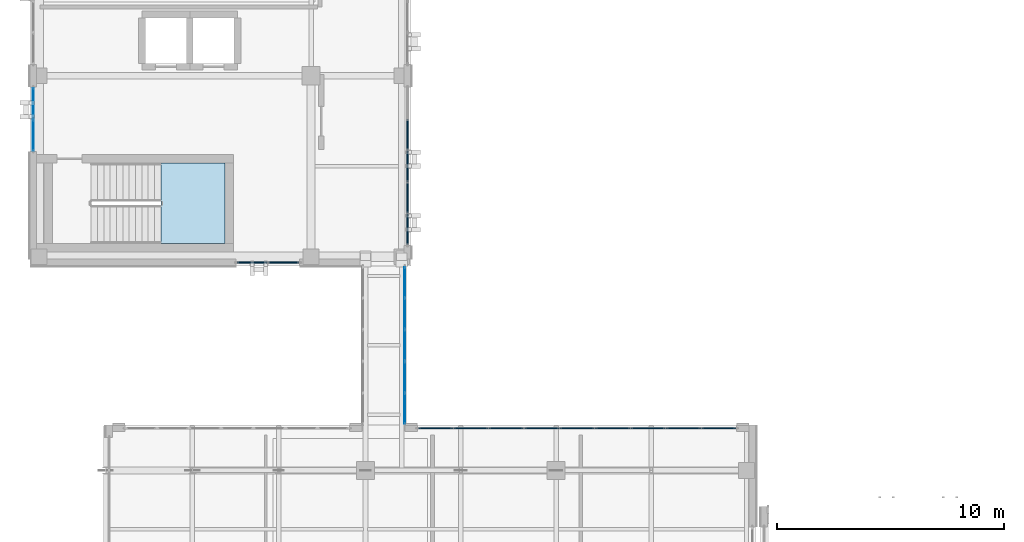
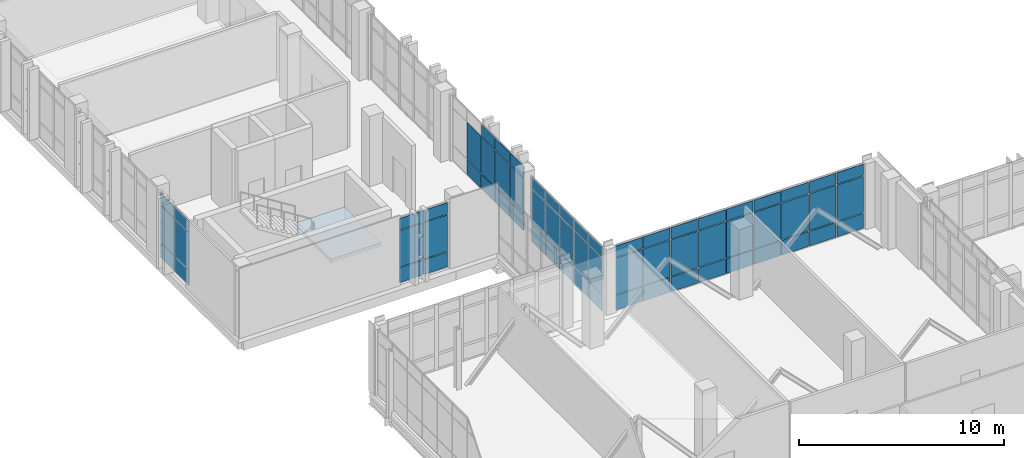
# One storey, part 116 of 165: 65 plates, 1 slab, 6 elements without a shape of their own.
"""IFC4 building model written with IfcOpenShell, lengths in metres."""

from ifc_helpers import new_model, si_unit, direction, frame, origin, origin_2d, place, context, subcontext, project, spatial, polyline, rectangle, outline, extrude, material, layer, layer_set, type_object, element, aggregate, save


model = new_model("IFC4")

# Units and contexts
model_context = context("Model", 3, precision=1e-05, world=origin(), true_north=direction((0.0, 1.0)))
body_context = subcontext(model_context, "Body", "Model", "MODEL_VIEW")
ifc_project = project(units=[si_unit("LENGTHUNIT", "METRE"), si_unit("AREAUNIT", "SQUARE_METRE"), si_unit("VOLUMEUNIT", "CUBIC_METRE"), si_unit("PLANEANGLEUNIT", "RADIAN"), si_unit("MASSUNIT", "GRAM", prefix="KILO")], contexts=[model_context])

# Site, building, storey
site_placement = place(None, origin())
site = spatial("IfcSite", under=ifc_project, at=site_placement, CompositionType="ELEMENT")
building_placement = place(site_placement, origin())
building = spatial("IfcBuilding", under=site, at=building_placement, Name="Qalavern Law Courts", CompositionType="ELEMENT")
storey_placement = place(building_placement, frame((0.0, 0.0, 14.39990234375)))
storey = spatial("IfcBuildingStorey", under=building, at=storey_placement, Name="L03", CompositionType="ELEMENT", Elevation=14.39990234375)

# Curtain wall, plates
ifc_material_1 = material(Name="Anodised aluminium and insulated glazing", Category="aluminium")
ifc_layer_1 = layer(ifc_material_1, 0.14990234375)
ifc_layer_set_1 = layer_set([ifc_layer_1], Name="Anodised aluminium and insulated glazing")
curtain_wall_type_1 = type_object("IfcCurtainWallType", Name="ENV-CW-BRG", PredefinedType="USERDEFINED", material=ifc_layer_set_1)
curtain_wall_1_placement = place(storey_placement, origin())
curtain_wall_1 = element("IfcCurtainWall", 1, at=curtain_wall_1_placement, inside=storey, type_object=curtain_wall_type_1, Name="Bridge BR-V1-V3 glazed curtain wall L03-2", ObjectType="UNITISED CURTAIN WALL", PredefinedType="USERDEFINED")
ifc_material_2 = material(Name="Insulated low-E acoustic glazing", Category="glass")
ifc_layer_2 = layer(ifc_material_2, 0.031982421875)
ifc_layer_set_2 = layer_set([ifc_layer_2], Name="Insulated low-E acoustic glazing")
plate_type_1 = type_object("IfcPlateType", Name="ENV-CWP-32", PredefinedType="CURTAIN_PANEL", material=ifc_layer_set_2)
plate_1_placement = place(storey_placement, frame((18.52490234375, 34.72998046875, 0.048095703125), z_axis=(0.0, 0.0, 1.0), x_axis=(0.0, 1.0, 0.0)))
plate_1 = element("IfcPlate", 2, at=plate_1_placement, type_object=plate_type_1, Name="CW-06 panel 1.1", PredefinedType="CURTAIN_PANEL", context=body_context, shape_type="SweptSolid", body=[
    extrude(rectangle(XDim=1.323974609375, YDim=0.031982421875, at=origin_2d()), origin(), (0.0, 0.0, 1.0), 0.97802734375),
])
plate_2_placement = place(storey_placement, frame((18.52490234375, 34.72998046875, 1.073974609375), z_axis=(0.0, 0.0, 1.0), x_axis=(0.0, 1.0, 0.0)))
plate_2 = element("IfcPlate", 3, at=plate_2_placement, type_object=plate_type_1, Name="CW-06 panel 1.2", PredefinedType="CURTAIN_PANEL", context=body_context, shape_type="SweptSolid", body=[
    extrude(rectangle(XDim=1.323974609375, YDim=0.031982421875, at=origin_2d()), origin(), (0.0, 0.0, 1.0), 2.1220703125),
])
plate_3_placement = place(storey_placement, frame((18.52490234375, 34.72998046875, 3.244140625), z_axis=(0.0, 0.0, 1.0), x_axis=(0.0, 1.0, 0.0)))
plate_3 = element("IfcPlate", 4, at=plate_3_placement, type_object=plate_type_1, Name="CW-06 panel 1.3", PredefinedType="CURTAIN_PANEL", context=body_context, shape_type="SweptSolid", body=[
    extrude(rectangle(XDim=1.323974609375, YDim=0.031982421875, at=origin_2d()), origin(), (0.0, 0.0, 1.0), 0.6279296875),
])
plate_4_placement = place(storey_placement, frame((18.52490234375, 36.114013671875, 0.048095703125), z_axis=(0.0, 0.0, 1.0), x_axis=(0.0, 1.0, 0.0)))
plate_4 = element("IfcPlate", 5, at=plate_4_placement, type_object=plate_type_1, Name="CW-06 panel 2.1", PredefinedType="CURTAIN_PANEL", context=body_context, shape_type="SweptSolid", body=[
    extrude(rectangle(XDim=1.347900390625, YDim=0.031982421875, at=origin_2d()), origin(), (0.0, 0.0, 1.0), 0.97802734375),
])
plate_5_placement = place(storey_placement, frame((18.52490234375, 36.114013671875, 1.073974609375), z_axis=(0.0, 0.0, 1.0), x_axis=(0.0, 1.0, 0.0)))
plate_5 = element("IfcPlate", 6, at=plate_5_placement, type_object=plate_type_1, Name="CW-06 panel 2.2", PredefinedType="CURTAIN_PANEL", context=body_context, shape_type="SweptSolid", body=[
    extrude(rectangle(XDim=1.347900390625, YDim=0.031982421875, at=origin_2d()), origin(), (0.0, 0.0, 1.0), 2.1220703125),
])
plate_6_placement = place(storey_placement, frame((18.52490234375, 36.114013671875, 3.244140625), z_axis=(0.0, 0.0, 1.0), x_axis=(0.0, 1.0, 0.0)))
plate_6 = element("IfcPlate", 7, at=plate_6_placement, type_object=plate_type_1, Name="CW-06 panel 2.3", PredefinedType="CURTAIN_PANEL", context=body_context, shape_type="SweptSolid", body=[
    extrude(rectangle(XDim=1.347900390625, YDim=0.031982421875, at=origin_2d()), origin(), (0.0, 0.0, 1.0), 0.6279296875),
])
plate_7_placement = place(storey_placement, frame((18.52490234375, 37.510009765625, 0.048095703125), z_axis=(0.0, 0.0, 1.0), x_axis=(0.0, 1.0, 0.0)))
plate_7 = element("IfcPlate", 8, at=plate_7_placement, type_object=plate_type_1, Name="CW-06 panel 3.1", PredefinedType="CURTAIN_PANEL", context=body_context, shape_type="SweptSolid", body=[
    extrude(rectangle(XDim=1.347900390625, YDim=0.031982421875, at=origin_2d()), origin(), (0.0, 0.0, 1.0), 0.97802734375),
])
plate_8_placement = place(storey_placement, frame((18.52490234375, 37.510009765625, 1.073974609375), z_axis=(0.0, 0.0, 1.0), x_axis=(0.0, 1.0, 0.0)))
plate_8 = element("IfcPlate", 9, at=plate_8_placement, type_object=plate_type_1, Name="CW-06 panel 3.2", PredefinedType="CURTAIN_PANEL", context=body_context, shape_type="SweptSolid", body=[
    extrude(rectangle(XDim=1.347900390625, YDim=0.031982421875, at=origin_2d()), origin(), (0.0, 0.0, 1.0), 2.1220703125),
])
plate_9_placement = place(storey_placement, frame((18.52490234375, 37.510009765625, 3.244140625), z_axis=(0.0, 0.0, 1.0), x_axis=(0.0, 1.0, 0.0)))
plate_9 = element("IfcPlate", 10, at=plate_9_placement, type_object=plate_type_1, Name="CW-06 panel 3.3", PredefinedType="CURTAIN_PANEL", context=body_context, shape_type="SweptSolid", body=[
    extrude(rectangle(XDim=1.347900390625, YDim=0.031982421875, at=origin_2d()), origin(), (0.0, 0.0, 1.0), 0.6279296875),
])
plate_10_placement = place(storey_placement, frame((18.52490234375, 38.906005859375, 0.048095703125), z_axis=(0.0, 0.0, 1.0), x_axis=(0.0, 1.0, 0.0)))
plate_10 = element("IfcPlate", 11, at=plate_10_placement, type_object=plate_type_1, Name="CW-06 panel 4.1", PredefinedType="CURTAIN_PANEL", context=body_context, shape_type="SweptSolid", body=[
    extrude(rectangle(XDim=1.347900390625, YDim=0.031982421875, at=origin_2d()), origin(), (0.0, 0.0, 1.0), 0.97802734375),
])
plate_11_placement = place(storey_placement, frame((18.52490234375, 38.906005859375, 1.073974609375), z_axis=(0.0, 0.0, 1.0), x_axis=(0.0, 1.0, 0.0)))
plate_11 = element("IfcPlate", 12, at=plate_11_placement, type_object=plate_type_1, Name="CW-06 panel 4.2", PredefinedType="CURTAIN_PANEL", context=body_context, shape_type="SweptSolid", body=[
    extrude(rectangle(XDim=1.347900390625, YDim=0.031982421875, at=origin_2d()), origin(), (0.0, 0.0, 1.0), 2.1220703125),
])
plate_12_placement = place(storey_placement, frame((18.52490234375, 38.906005859375, 3.244140625), z_axis=(0.0, 0.0, 1.0), x_axis=(0.0, 1.0, 0.0)))
plate_12 = element("IfcPlate", 13, at=plate_12_placement, type_object=plate_type_1, Name="CW-06 panel 4.3", PredefinedType="CURTAIN_PANEL", context=body_context, shape_type="SweptSolid", body=[
    extrude(rectangle(XDim=1.347900390625, YDim=0.031982421875, at=origin_2d()), origin(), (0.0, 0.0, 1.0), 0.6279296875),
])
plate_13_placement = place(storey_placement, frame((18.52490234375, 40.2900390625, 0.048095703125), z_axis=(0.0, 0.0, 1.0), x_axis=(0.0, 1.0, 0.0)))
plate_13 = element("IfcPlate", 14, at=plate_13_placement, type_object=plate_type_1, Name="CW-06 panel 5.1", PredefinedType="CURTAIN_PANEL", context=body_context, shape_type="SweptSolid", body=[
    extrude(rectangle(XDim=1.323974609375, YDim=0.031982421875, at=origin_2d()), origin(), (0.0, 0.0, 1.0), 0.97802734375),
])
plate_14_placement = place(storey_placement, frame((18.52490234375, 40.2900390625, 1.073974609375), z_axis=(0.0, 0.0, 1.0), x_axis=(0.0, 1.0, 0.0)))
plate_14 = element("IfcPlate", 15, at=plate_14_placement, type_object=plate_type_1, Name="CW-06 panel 5.2", PredefinedType="CURTAIN_PANEL", context=body_context, shape_type="SweptSolid", body=[
    extrude(rectangle(XDim=1.323974609375, YDim=0.031982421875, at=origin_2d()), origin(), (0.0, 0.0, 1.0), 2.1220703125),
])
plate_15_placement = place(storey_placement, frame((18.52490234375, 40.2900390625, 3.244140625), z_axis=(0.0, 0.0, 1.0), x_axis=(0.0, 1.0, 0.0)))
plate_15 = element("IfcPlate", 16, at=plate_15_placement, type_object=plate_type_1, Name="CW-06 panel 5.3", PredefinedType="CURTAIN_PANEL", context=body_context, shape_type="SweptSolid", body=[
    extrude(rectangle(XDim=1.323974609375, YDim=0.031982421875, at=origin_2d()), origin(), (0.0, 0.0, 1.0), 0.6279296875),
])
aggregate(curtain_wall_1, [plate_1, plate_2, plate_3, plate_4, plate_5, plate_6, plate_7, plate_8, plate_9, plate_10, plate_11, plate_12, plate_13, plate_14, plate_15])

ifc_layer_3 = layer(ifc_material_1, 0.172119140625)
ifc_layer_set_3 = layer_set([ifc_layer_3], Name="Anodised aluminium and insulated glazing")
curtain_wall_type_2 = type_object("IfcCurtainWallType", Name="ENV-CW-COURT", PredefinedType="USERDEFINED", material=ifc_layer_set_3)
curtain_wall_2_placement = place(storey_placement, origin())
curtain_wall_2 = element("IfcCurtainWall", 17, at=curtain_wall_2_placement, inside=storey, type_object=curtain_wall_type_2, Name="V3 unitised curtain wall L03 west 7", ObjectType="UNITISED CURTAIN WALL", PredefinedType="USERDEFINED")
ifc_layer_4 = layer(ifc_material_2, 0.0439453125)
ifc_layer_set_4 = layer_set([ifc_layer_4], Name="Insulated low-E acoustic glazing")
plate_type_2 = type_object("IfcPlateType", Name="ENV-CWP-44", PredefinedType="CURTAIN_PANEL", material=ifc_layer_set_4)
plate_16_placement = place(storey_placement, frame((2.1474609375, 48.175537109375, 0.048095703125), z_axis=(0.0, 0.0, 1.0), x_axis=(0.0, -1.0, 0.0)))
plate_16 = element("IfcPlate", 18, at=plate_16_placement, type_object=plate_type_2, Name="CW-03 panel 1.1", PredefinedType="CURTAIN_PANEL", context=body_context, shape_type="SweptSolid", body=[
    extrude(rectangle(XDim=1.35302734375, YDim=0.0439453125, at=origin_2d()), origin(), (0.0, 0.0, 1.0), 0.8779296875),
])
plate_17_placement = place(storey_placement, frame((2.1474609375, 48.175537109375, 0.97412109375), z_axis=(0.0, 0.0, 1.0), x_axis=(0.0, -1.0, 0.0)))
plate_17 = element("IfcPlate", 19, at=plate_17_placement, type_object=plate_type_2, Name="CW-03 panel 1.2", PredefinedType="CURTAIN_PANEL", context=body_context, shape_type="SweptSolid", body=[
    extrude(rectangle(XDim=1.35302734375, YDim=0.0439453125, at=origin_2d()), origin(), (0.0, 0.0, 1.0), 2.172119140625),
])
plate_18_placement = place(storey_placement, frame((2.1474609375, 48.175537109375, 3.1943359375), z_axis=(0.0, 0.0, 1.0), x_axis=(0.0, -1.0, 0.0)))
plate_18 = element("IfcPlate", 20, at=plate_18_placement, type_object=plate_type_2, Name="CW-03 panel 1.3", PredefinedType="CURTAIN_PANEL", context=body_context, shape_type="SweptSolid", body=[
    extrude(rectangle(XDim=1.35302734375, YDim=0.0439453125, at=origin_2d()), origin(), (0.0, 0.0, 1.0), 0.677978515625),
])
plate_19_placement = place(storey_placement, frame((2.1474609375, 46.7744140625, 0.048095703125), z_axis=(0.0, 0.0, 1.0), x_axis=(0.0, -1.0, 0.0)))
plate_19 = element("IfcPlate", 21, at=plate_19_placement, type_object=plate_type_2, Name="CW-03 panel 2.1", PredefinedType="CURTAIN_PANEL", context=body_context, shape_type="SweptSolid", body=[
    extrude(rectangle(XDim=1.35302734375, YDim=0.0439453125, at=origin_2d()), origin(), (0.0, 0.0, 1.0), 0.8779296875),
])
plate_20_placement = place(storey_placement, frame((2.1474609375, 46.7744140625, 0.97412109375), z_axis=(0.0, 0.0, 1.0), x_axis=(0.0, -1.0, 0.0)))
plate_20 = element("IfcPlate", 22, at=plate_20_placement, type_object=plate_type_2, Name="CW-03 panel 2.2", PredefinedType="CURTAIN_PANEL", context=body_context, shape_type="SweptSolid", body=[
    extrude(rectangle(XDim=1.35302734375, YDim=0.0439453125, at=origin_2d()), origin(), (0.0, 0.0, 1.0), 2.172119140625),
])
plate_21_placement = place(storey_placement, frame((2.1474609375, 46.7744140625, 3.1943359375), z_axis=(0.0, 0.0, 1.0), x_axis=(0.0, -1.0, 0.0)))
plate_21 = element("IfcPlate", 23, at=plate_21_placement, type_object=plate_type_2, Name="CW-03 panel 2.3", PredefinedType="CURTAIN_PANEL", context=body_context, shape_type="SweptSolid", body=[
    extrude(rectangle(XDim=1.35302734375, YDim=0.0439453125, at=origin_2d()), origin(), (0.0, 0.0, 1.0), 0.677978515625),
])
aggregate(curtain_wall_2, [plate_16, plate_17, plate_18, plate_19, plate_20, plate_21])

ifc_layer_5 = layer(ifc_material_1, 0.199951171875)
ifc_layer_set_5 = layer_set([ifc_layer_5], Name="Anodised aluminium and insulated glazing")
curtain_wall_type_3 = type_object("IfcCurtainWallType", Name="ENV-CW-FOYER", PredefinedType="USERDEFINED", material=ifc_layer_set_5)
curtain_wall_3_placement = place(storey_placement, origin())
curtain_wall_3 = element("IfcCurtainWall", 24, at=curtain_wall_3_placement, inside=storey, type_object=curtain_wall_type_3, Name="V1 unitised curtain wall L03 north 1", ObjectType="UNITISED CURTAIN WALL", PredefinedType="USERDEFINED")
ifc_layer_6 = layer(ifc_material_2, 0.052001953125)
ifc_layer_set_6 = layer_set([ifc_layer_6], Name="Insulated low-E acoustic glazing")
plate_type_3 = type_object("IfcPlateType", Name="ENV-CWP-52", PredefinedType="CURTAIN_PANEL", material=ifc_layer_set_6)
plate_22_placement = place(storey_placement, frame((32.366943359375, 33.8525390625, 0.048095703125), z_axis=(0.0, 0.0, 1.0), x_axis=(-1.0, 0.0, 0.0)))
plate_22 = element("IfcPlate", 25, at=plate_22_placement, type_object=plate_type_3, Name="CW-01 panel 1.1", PredefinedType="CURTAIN_PANEL", context=body_context, shape_type="SweptSolid", body=[
    extrude(rectangle(XDim=1.490234375, YDim=0.052001953125, at=origin_2d()), origin(), (0.0, 0.0, 1.0), 0.8779296875),
])
plate_23_placement = place(storey_placement, frame((32.366943359375, 33.8525390625, 0.97412109375), z_axis=(0.0, 0.0, 1.0), x_axis=(-1.0, 0.0, 0.0)))
plate_23 = element("IfcPlate", 26, at=plate_23_placement, type_object=plate_type_3, Name="CW-01 panel 1.2", PredefinedType="CURTAIN_PANEL", context=body_context, shape_type="SweptSolid", body=[
    extrude(rectangle(XDim=1.490234375, YDim=0.052001953125, at=origin_2d()), origin(), (0.0, 0.0, 1.0), 2.172119140625),
])
plate_24_placement = place(storey_placement, frame((32.366943359375, 33.8525390625, 3.1943359375), z_axis=(0.0, 0.0, 1.0), x_axis=(-1.0, 0.0, 0.0)))
plate_24 = element("IfcPlate", 27, at=plate_24_placement, type_object=plate_type_3, Name="CW-01 panel 1.3", PredefinedType="CURTAIN_PANEL", context=body_context, shape_type="SweptSolid", body=[
    extrude(rectangle(XDim=1.490234375, YDim=0.052001953125, at=origin_2d()), origin(), (0.0, 0.0, 1.0), 0.677978515625),
])
plate_25_placement = place(storey_placement, frame((30.816650390625, 33.8525390625, 0.048095703125), z_axis=(0.0, 0.0, 1.0), x_axis=(-1.0, 0.0, 0.0)))
plate_25 = element("IfcPlate", 28, at=plate_25_placement, type_object=plate_type_3, Name="CW-01 panel 2.1", PredefinedType="CURTAIN_PANEL", context=body_context, shape_type="SweptSolid", body=[
    extrude(rectangle(XDim=1.51416015625, YDim=0.052001953125, at=origin_2d()), origin(), (0.0, 0.0, 1.0), 0.8779296875),
])
plate_26_placement = place(storey_placement, frame((30.816650390625, 33.8525390625, 0.97412109375), z_axis=(0.0, 0.0, 1.0), x_axis=(-1.0, 0.0, 0.0)))
plate_26 = element("IfcPlate", 29, at=plate_26_placement, type_object=plate_type_3, Name="CW-01 panel 2.2", PredefinedType="CURTAIN_PANEL", context=body_context, shape_type="SweptSolid", body=[
    extrude(rectangle(XDim=1.51416015625, YDim=0.052001953125, at=origin_2d()), origin(), (0.0, 0.0, 1.0), 2.172119140625),
])
plate_27_placement = place(storey_placement, frame((30.816650390625, 33.8525390625, 3.1943359375), z_axis=(0.0, 0.0, 1.0), x_axis=(-1.0, 0.0, 0.0)))
plate_27 = element("IfcPlate", 30, at=plate_27_placement, type_object=plate_type_3, Name="CW-01 panel 2.3", PredefinedType="CURTAIN_PANEL", context=body_context, shape_type="SweptSolid", body=[
    extrude(rectangle(XDim=1.51416015625, YDim=0.052001953125, at=origin_2d()), origin(), (0.0, 0.0, 1.0), 0.677978515625),
])
plate_28_placement = place(storey_placement, frame((29.25439453125, 33.8525390625, 0.048095703125), z_axis=(0.0, 0.0, 1.0), x_axis=(-1.0, 0.0, 0.0)))
plate_28 = element("IfcPlate", 31, at=plate_28_placement, type_object=plate_type_3, Name="CW-01 panel 3.1", PredefinedType="CURTAIN_PANEL", context=body_context, shape_type="SweptSolid", body=[
    extrude(rectangle(XDim=1.51416015625, YDim=0.052001953125, at=origin_2d()), origin(), (0.0, 0.0, 1.0), 0.8779296875),
])
plate_29_placement = place(storey_placement, frame((29.25439453125, 33.8525390625, 0.97412109375), z_axis=(0.0, 0.0, 1.0), x_axis=(-1.0, 0.0, 0.0)))
plate_29 = element("IfcPlate", 32, at=plate_29_placement, type_object=plate_type_3, Name="CW-01 panel 3.2", PredefinedType="CURTAIN_PANEL", context=body_context, shape_type="SweptSolid", body=[
    extrude(rectangle(XDim=1.51416015625, YDim=0.052001953125, at=origin_2d()), origin(), (0.0, 0.0, 1.0), 2.172119140625),
])
plate_30_placement = place(storey_placement, frame((29.25439453125, 33.8525390625, 3.1943359375), z_axis=(0.0, 0.0, 1.0), x_axis=(-1.0, 0.0, 0.0)))
plate_30 = element("IfcPlate", 33, at=plate_30_placement, type_object=plate_type_3, Name="CW-01 panel 3.3", PredefinedType="CURTAIN_PANEL", context=body_context, shape_type="SweptSolid", body=[
    extrude(rectangle(XDim=1.51416015625, YDim=0.052001953125, at=origin_2d()), origin(), (0.0, 0.0, 1.0), 0.677978515625),
])
plate_31_placement = place(storey_placement, frame((27.692138671875, 33.8525390625, 0.048095703125), z_axis=(0.0, 0.0, 1.0), x_axis=(-1.0, 0.0, 0.0)))
plate_31 = element("IfcPlate", 34, at=plate_31_placement, type_object=plate_type_3, Name="CW-01 panel 4.1", PredefinedType="CURTAIN_PANEL", context=body_context, shape_type="SweptSolid", body=[
    extrude(rectangle(XDim=1.51416015625, YDim=0.052001953125, at=origin_2d()), origin(), (0.0, 0.0, 1.0), 0.8779296875),
])
plate_32_placement = place(storey_placement, frame((27.692138671875, 33.8525390625, 0.97412109375), z_axis=(0.0, 0.0, 1.0), x_axis=(-1.0, 0.0, 0.0)))
plate_32 = element("IfcPlate", 35, at=plate_32_placement, type_object=plate_type_3, Name="CW-01 panel 4.2", PredefinedType="CURTAIN_PANEL", context=body_context, shape_type="SweptSolid", body=[
    extrude(rectangle(XDim=1.51416015625, YDim=0.052001953125, at=origin_2d()), origin(), (0.0, 0.0, 1.0), 2.172119140625),
])
plate_33_placement = place(storey_placement, frame((27.692138671875, 33.8525390625, 3.1943359375), z_axis=(0.0, 0.0, 1.0), x_axis=(-1.0, 0.0, 0.0)))
plate_33 = element("IfcPlate", 36, at=plate_33_placement, type_object=plate_type_3, Name="CW-01 panel 4.3", PredefinedType="CURTAIN_PANEL", context=body_context, shape_type="SweptSolid", body=[
    extrude(rectangle(XDim=1.51416015625, YDim=0.052001953125, at=origin_2d()), origin(), (0.0, 0.0, 1.0), 0.677978515625),
])
plate_34_placement = place(storey_placement, frame((26.1298828125, 33.8525390625, 0.048095703125), z_axis=(0.0, 0.0, 1.0), x_axis=(-1.0, 0.0, 0.0)))
plate_34 = element("IfcPlate", 37, at=plate_34_placement, type_object=plate_type_3, Name="CW-01 panel 5.1", PredefinedType="CURTAIN_PANEL", context=body_context, shape_type="SweptSolid", body=[
    extrude(rectangle(XDim=1.51416015625, YDim=0.052001953125, at=origin_2d()), origin(), (0.0, 0.0, 1.0), 0.8779296875),
])
plate_35_placement = place(storey_placement, frame((26.1298828125, 33.8525390625, 0.97412109375), z_axis=(0.0, 0.0, 1.0), x_axis=(-1.0, 0.0, 0.0)))
plate_35 = element("IfcPlate", 38, at=plate_35_placement, type_object=plate_type_3, Name="CW-01 panel 5.2", PredefinedType="CURTAIN_PANEL", context=body_context, shape_type="SweptSolid", body=[
    extrude(rectangle(XDim=1.51416015625, YDim=0.052001953125, at=origin_2d()), origin(), (0.0, 0.0, 1.0), 2.172119140625),
])
plate_36_placement = place(storey_placement, frame((26.1298828125, 33.8525390625, 3.1943359375), z_axis=(0.0, 0.0, 1.0), x_axis=(-1.0, 0.0, 0.0)))
plate_36 = element("IfcPlate", 39, at=plate_36_placement, type_object=plate_type_3, Name="CW-01 panel 5.3", PredefinedType="CURTAIN_PANEL", context=body_context, shape_type="SweptSolid", body=[
    extrude(rectangle(XDim=1.51416015625, YDim=0.052001953125, at=origin_2d()), origin(), (0.0, 0.0, 1.0), 0.677978515625),
])
plate_37_placement = place(storey_placement, frame((24.56787109375, 33.8525390625, 0.048095703125), z_axis=(0.0, 0.0, 1.0), x_axis=(-1.0, 0.0, 0.0)))
plate_37 = element("IfcPlate", 40, at=plate_37_placement, type_object=plate_type_3, Name="CW-01 panel 6.1", PredefinedType="CURTAIN_PANEL", context=body_context, shape_type="SweptSolid", body=[
    extrude(rectangle(XDim=1.51416015625, YDim=0.052001953125, at=origin_2d()), origin(), (0.0, 0.0, 1.0), 0.8779296875),
])
plate_38_placement = place(storey_placement, frame((24.56787109375, 33.8525390625, 0.97412109375), z_axis=(0.0, 0.0, 1.0), x_axis=(-1.0, 0.0, 0.0)))
plate_38 = element("IfcPlate", 41, at=plate_38_placement, type_object=plate_type_3, Name="CW-01 panel 6.2", PredefinedType="CURTAIN_PANEL", context=body_context, shape_type="SweptSolid", body=[
    extrude(rectangle(XDim=1.51416015625, YDim=0.052001953125, at=origin_2d()), origin(), (0.0, 0.0, 1.0), 2.172119140625),
])
plate_39_placement = place(storey_placement, frame((24.56787109375, 33.8525390625, 3.1943359375), z_axis=(0.0, 0.0, 1.0), x_axis=(-1.0, 0.0, 0.0)))
plate_39 = element("IfcPlate", 42, at=plate_39_placement, type_object=plate_type_3, Name="CW-01 panel 6.3", PredefinedType="CURTAIN_PANEL", context=body_context, shape_type="SweptSolid", body=[
    extrude(rectangle(XDim=1.51416015625, YDim=0.052001953125, at=origin_2d()), origin(), (0.0, 0.0, 1.0), 0.677978515625),
])
plate_40_placement = place(storey_placement, frame((23.005615234375, 33.8525390625, 0.048095703125), z_axis=(0.0, 0.0, 1.0), x_axis=(-1.0, 0.0, 0.0)))
plate_40 = element("IfcPlate", 43, at=plate_40_placement, type_object=plate_type_3, Name="CW-01 panel 7.1", PredefinedType="CURTAIN_PANEL", context=body_context, shape_type="SweptSolid", body=[
    extrude(rectangle(XDim=1.51416015625, YDim=0.052001953125, at=origin_2d()), origin(), (0.0, 0.0, 1.0), 0.8779296875),
])
plate_41_placement = place(storey_placement, frame((23.005615234375, 33.8525390625, 0.97412109375), z_axis=(0.0, 0.0, 1.0), x_axis=(-1.0, 0.0, 0.0)))
plate_41 = element("IfcPlate", 44, at=plate_41_placement, type_object=plate_type_3, Name="CW-01 panel 7.2", PredefinedType="CURTAIN_PANEL", context=body_context, shape_type="SweptSolid", body=[
    extrude(rectangle(XDim=1.51416015625, YDim=0.052001953125, at=origin_2d()), origin(), (0.0, 0.0, 1.0), 2.172119140625),
])
plate_42_placement = place(storey_placement, frame((23.005615234375, 33.8525390625, 3.1943359375), z_axis=(0.0, 0.0, 1.0), x_axis=(-1.0, 0.0, 0.0)))
plate_42 = element("IfcPlate", 45, at=plate_42_placement, type_object=plate_type_3, Name="CW-01 panel 7.3", PredefinedType="CURTAIN_PANEL", context=body_context, shape_type="SweptSolid", body=[
    extrude(rectangle(XDim=1.51416015625, YDim=0.052001953125, at=origin_2d()), origin(), (0.0, 0.0, 1.0), 0.677978515625),
])
plate_43_placement = place(storey_placement, frame((21.443359375, 33.8525390625, 0.048095703125), z_axis=(0.0, 0.0, 1.0), x_axis=(-1.0, 0.0, 0.0)))
plate_43 = element("IfcPlate", 46, at=plate_43_placement, type_object=plate_type_3, Name="CW-01 panel 8.1", PredefinedType="CURTAIN_PANEL", context=body_context, shape_type="SweptSolid", body=[
    extrude(rectangle(XDim=1.51416015625, YDim=0.052001953125, at=origin_2d()), origin(), (0.0, 0.0, 1.0), 0.8779296875),
])
plate_44_placement = place(storey_placement, frame((21.443359375, 33.8525390625, 0.97412109375), z_axis=(0.0, 0.0, 1.0), x_axis=(-1.0, 0.0, 0.0)))
plate_44 = element("IfcPlate", 47, at=plate_44_placement, type_object=plate_type_3, Name="CW-01 panel 8.2", PredefinedType="CURTAIN_PANEL", context=body_context, shape_type="SweptSolid", body=[
    extrude(rectangle(XDim=1.51416015625, YDim=0.052001953125, at=origin_2d()), origin(), (0.0, 0.0, 1.0), 2.172119140625),
])
plate_45_placement = place(storey_placement, frame((21.443359375, 33.8525390625, 3.1943359375), z_axis=(0.0, 0.0, 1.0), x_axis=(-1.0, 0.0, 0.0)))
plate_45 = element("IfcPlate", 48, at=plate_45_placement, type_object=plate_type_3, Name="CW-01 panel 8.3", PredefinedType="CURTAIN_PANEL", context=body_context, shape_type="SweptSolid", body=[
    extrude(rectangle(XDim=1.51416015625, YDim=0.052001953125, at=origin_2d()), origin(), (0.0, 0.0, 1.0), 0.677978515625),
])
plate_46_placement = place(storey_placement, frame((19.89306640625, 33.8525390625, 0.048095703125), z_axis=(0.0, 0.0, 1.0), x_axis=(-1.0, 0.0, 0.0)))
plate_46 = element("IfcPlate", 49, at=plate_46_placement, type_object=plate_type_3, Name="CW-01 panel 9.1", PredefinedType="CURTAIN_PANEL", context=body_context, shape_type="SweptSolid", body=[
    extrude(rectangle(XDim=1.490234375, YDim=0.052001953125, at=origin_2d()), origin(), (0.0, 0.0, 1.0), 0.8779296875),
])
plate_47_placement = place(storey_placement, frame((19.89306640625, 33.8525390625, 0.97412109375), z_axis=(0.0, 0.0, 1.0), x_axis=(-1.0, 0.0, 0.0)))
plate_47 = element("IfcPlate", 50, at=plate_47_placement, type_object=plate_type_3, Name="CW-01 panel 9.2", PredefinedType="CURTAIN_PANEL", context=body_context, shape_type="SweptSolid", body=[
    extrude(rectangle(XDim=1.490234375, YDim=0.052001953125, at=origin_2d()), origin(), (0.0, 0.0, 1.0), 2.172119140625),
])
plate_48_placement = place(storey_placement, frame((19.89306640625, 33.8525390625, 3.1943359375), z_axis=(0.0, 0.0, 1.0), x_axis=(-1.0, 0.0, 0.0)))
plate_48 = element("IfcPlate", 51, at=plate_48_placement, type_object=plate_type_3, Name="CW-01 panel 9.3", PredefinedType="CURTAIN_PANEL", context=body_context, shape_type="SweptSolid", body=[
    extrude(rectangle(XDim=1.490234375, YDim=0.052001953125, at=origin_2d()), origin(), (0.0, 0.0, 1.0), 0.677978515625),
])
aggregate(curtain_wall_3, [plate_22, plate_23, plate_24, plate_25, plate_26, plate_27, plate_28, plate_29, plate_30, plate_31, plate_32, plate_33, plate_34, plate_35, plate_36, plate_37, plate_38, plate_39, plate_40, plate_41, plate_42, plate_43, plate_44, plate_45, plate_46, plate_47, plate_48])

curtain_wall_4_placement = place(storey_placement, origin())
curtain_wall_4 = element("IfcCurtainWall", 52, at=curtain_wall_4_placement, inside=storey, type_object=curtain_wall_type_2, Name="V3 unitised curtain wall L03 south 1", ObjectType="UNITISED CURTAIN WALL", PredefinedType="USERDEFINED")
plate_49_placement = place(storey_placement, frame((11.81201171875, 41.16748046875, 0.048095703125), z_axis=(0.0, 0.0, 1.0), x_axis=(1.0, 0.0, 0.0)))
plate_49 = element("IfcPlate", 53, at=plate_49_placement, type_object=plate_type_3, Name="CW-03 panel 1.1", PredefinedType="CURTAIN_PANEL", context=body_context, shape_type="SweptSolid", body=[
    extrude(rectangle(XDim=1.327880859375, YDim=0.052001953125, at=origin_2d()), origin(), (0.0, 0.0, 1.0), 0.8779296875),
])
plate_50_placement = place(storey_placement, frame((11.81201171875, 41.16748046875, 0.97412109375), z_axis=(0.0, 0.0, 1.0), x_axis=(1.0, 0.0, 0.0)))
plate_50 = element("IfcPlate", 54, at=plate_50_placement, type_object=plate_type_3, Name="CW-03 panel 1.2", PredefinedType="CURTAIN_PANEL", context=body_context, shape_type="SweptSolid", body=[
    extrude(rectangle(XDim=1.327880859375, YDim=0.052001953125, at=origin_2d()), origin(), (0.0, 0.0, 1.0), 2.172119140625),
])
plate_51_placement = place(storey_placement, frame((11.81201171875, 41.16748046875, 3.1943359375), z_axis=(0.0, 0.0, 1.0), x_axis=(1.0, 0.0, 0.0)))
plate_51 = element("IfcPlate", 55, at=plate_51_placement, type_object=plate_type_3, Name="CW-03 panel 1.3", PredefinedType="CURTAIN_PANEL", context=body_context, shape_type="SweptSolid", body=[
    extrude(rectangle(XDim=1.327880859375, YDim=0.052001953125, at=origin_2d()), origin(), (0.0, 0.0, 1.0), 0.677978515625),
])
plate_52_placement = place(storey_placement, frame((13.18798828125, 41.16748046875, 0.048095703125), z_axis=(0.0, 0.0, 1.0), x_axis=(1.0, 0.0, 0.0)))
plate_52 = element("IfcPlate", 56, at=plate_52_placement, type_object=plate_type_3, Name="CW-03 panel 2.1", PredefinedType="CURTAIN_PANEL", context=body_context, shape_type="SweptSolid", body=[
    extrude(rectangle(XDim=1.327880859375, YDim=0.052001953125, at=origin_2d()), origin(), (0.0, 0.0, 1.0), 0.8779296875),
])
plate_53_placement = place(storey_placement, frame((13.18798828125, 41.16748046875, 0.97412109375), z_axis=(0.0, 0.0, 1.0), x_axis=(1.0, 0.0, 0.0)))
plate_53 = element("IfcPlate", 57, at=plate_53_placement, type_object=plate_type_3, Name="CW-03 panel 2.2", PredefinedType="CURTAIN_PANEL", context=body_context, shape_type="SweptSolid", body=[
    extrude(rectangle(XDim=1.327880859375, YDim=0.052001953125, at=origin_2d()), origin(), (0.0, 0.0, 1.0), 2.172119140625),
])
plate_54_placement = place(storey_placement, frame((13.18798828125, 41.16748046875, 3.1943359375), z_axis=(0.0, 0.0, 1.0), x_axis=(1.0, 0.0, 0.0)))
plate_54 = element("IfcPlate", 58, at=plate_54_placement, type_object=plate_type_3, Name="CW-03 panel 2.3", PredefinedType="CURTAIN_PANEL", context=body_context, shape_type="SweptSolid", body=[
    extrude(rectangle(XDim=1.327880859375, YDim=0.052001953125, at=origin_2d()), origin(), (0.0, 0.0, 1.0), 0.677978515625),
])
aggregate(curtain_wall_4, [plate_49, plate_50, plate_51, plate_52, plate_53, plate_54])

curtain_wall_5_placement = place(storey_placement, origin())
curtain_wall_5 = element("IfcCurtainWall", 59, at=curtain_wall_5_placement, inside=storey, type_object=curtain_wall_type_2, Name="V3 unitised curtain wall L03 east 1", ObjectType="UNITISED CURTAIN WALL", PredefinedType="USERDEFINED")
plate_55_placement = place(storey_placement, frame((18.652587890625, 42.6298828125, 0.048095703125), z_axis=(0.0, 0.0, 1.0), x_axis=(0.0, 1.0, 0.0)))
plate_55 = element("IfcPlate", 60, at=plate_55_placement, type_object=plate_type_3, Name="CW-03 panel 1.1", PredefinedType="CURTAIN_PANEL", context=body_context, shape_type="SweptSolid", body=[
    extrude(rectangle(XDim=1.323974609375, YDim=0.052001953125, at=origin_2d()), origin(), (0.0, 0.0, 1.0), 0.8779296875),
])
plate_56_placement = place(storey_placement, frame((18.652587890625, 42.6298828125, 0.97412109375), z_axis=(0.0, 0.0, 1.0), x_axis=(0.0, 1.0, 0.0)))
plate_56 = element("IfcPlate", 61, at=plate_56_placement, type_object=plate_type_3, Name="CW-03 panel 1.2", PredefinedType="CURTAIN_PANEL", context=body_context, shape_type="SweptSolid", body=[
    extrude(rectangle(XDim=1.323974609375, YDim=0.052001953125, at=origin_2d()), origin(), (0.0, 0.0, 1.0), 2.172119140625),
])
plate_57_placement = place(storey_placement, frame((18.652587890625, 42.6298828125, 3.1943359375), z_axis=(0.0, 0.0, 1.0), x_axis=(0.0, 1.0, 0.0)))
plate_57 = element("IfcPlate", 62, at=plate_57_placement, type_object=plate_type_3, Name="CW-03 panel 1.3", PredefinedType="CURTAIN_PANEL", context=body_context, shape_type="SweptSolid", body=[
    extrude(rectangle(XDim=1.323974609375, YDim=0.052001953125, at=origin_2d()), origin(), (0.0, 0.0, 1.0), 0.677978515625),
])
plate_58_placement = place(storey_placement, frame((18.652587890625, 44.013916015625, 0.048095703125), z_axis=(0.0, 0.0, 1.0), x_axis=(0.0, 1.0, 0.0)))
plate_58 = element("IfcPlate", 63, at=plate_58_placement, type_object=plate_type_3, Name="CW-03 panel 2.1", PredefinedType="CURTAIN_PANEL", context=body_context, shape_type="SweptSolid", body=[
    extrude(rectangle(XDim=1.347900390625, YDim=0.052001953125, at=origin_2d()), origin(), (0.0, 0.0, 1.0), 0.8779296875),
])
plate_59_placement = place(storey_placement, frame((18.652587890625, 44.013916015625, 0.97412109375), z_axis=(0.0, 0.0, 1.0), x_axis=(0.0, 1.0, 0.0)))
plate_59 = element("IfcPlate", 64, at=plate_59_placement, type_object=plate_type_3, Name="CW-03 panel 2.2", PredefinedType="CURTAIN_PANEL", context=body_context, shape_type="SweptSolid", body=[
    extrude(rectangle(XDim=1.347900390625, YDim=0.052001953125, at=origin_2d()), origin(), (0.0, 0.0, 1.0), 2.172119140625),
])
plate_60_placement = place(storey_placement, frame((18.652587890625, 44.013916015625, 3.1943359375), z_axis=(0.0, 0.0, 1.0), x_axis=(0.0, 1.0, 0.0)))
plate_60 = element("IfcPlate", 65, at=plate_60_placement, type_object=plate_type_3, Name="CW-03 panel 2.3", PredefinedType="CURTAIN_PANEL", context=body_context, shape_type="SweptSolid", body=[
    extrude(rectangle(XDim=1.347900390625, YDim=0.052001953125, at=origin_2d()), origin(), (0.0, 0.0, 1.0), 0.677978515625),
])
plate_61_placement = place(storey_placement, frame((18.652587890625, 45.409912109375, 0.048095703125), z_axis=(0.0, 0.0, 1.0), x_axis=(0.0, 1.0, 0.0)))
plate_61 = element("IfcPlate", 66, at=plate_61_placement, type_object=plate_type_3, Name="CW-03 panel 3.1", PredefinedType="CURTAIN_PANEL", context=body_context, shape_type="SweptSolid", body=[
    extrude(rectangle(XDim=1.347900390625, YDim=0.052001953125, at=origin_2d()), origin(), (0.0, 0.0, 1.0), 0.8779296875),
])
plate_62_placement = place(storey_placement, frame((18.652587890625, 45.409912109375, 0.97412109375), z_axis=(0.0, 0.0, 1.0), x_axis=(0.0, 1.0, 0.0)))
plate_62 = element("IfcPlate", 67, at=plate_62_placement, type_object=plate_type_3, Name="CW-03 panel 3.2", PredefinedType="CURTAIN_PANEL", context=body_context, shape_type="SweptSolid", body=[
    extrude(rectangle(XDim=1.347900390625, YDim=0.052001953125, at=origin_2d()), origin(), (0.0, 0.0, 1.0), 2.172119140625),
])
plate_63_placement = place(storey_placement, frame((18.652587890625, 45.409912109375, 3.1943359375), z_axis=(0.0, 0.0, 1.0), x_axis=(0.0, 1.0, 0.0)))
plate_63 = element("IfcPlate", 68, at=plate_63_placement, type_object=plate_type_3, Name="CW-03 panel 3.3", PredefinedType="CURTAIN_PANEL", context=body_context, shape_type="SweptSolid", body=[
    extrude(rectangle(XDim=1.347900390625, YDim=0.052001953125, at=origin_2d()), origin(), (0.0, 0.0, 1.0), 0.677978515625),
])
plate_64_placement = place(storey_placement, frame((18.652587890625, 46.805908203125, 0.048095703125), z_axis=(0.0, 0.0, 1.0), x_axis=(0.0, 1.0, 0.0)))
plate_64 = element("IfcPlate", 69, at=plate_64_placement, type_object=plate_type_3, Name="CW-03 panel 4.1", PredefinedType="CURTAIN_PANEL", context=body_context, shape_type="SweptSolid", body=[
    extrude(rectangle(XDim=1.347900390625, YDim=0.052001953125, at=origin_2d()), origin(), (0.0, 0.0, 1.0), 0.8779296875),
])
plate_65_placement = place(storey_placement, frame((18.652587890625, 46.805908203125, 0.97412109375), z_axis=(0.0, 0.0, 1.0), x_axis=(0.0, 1.0, 0.0)))
plate_65 = element("IfcPlate", 70, at=plate_65_placement, type_object=plate_type_3, Name="CW-03 panel 4.2", PredefinedType="CURTAIN_PANEL", context=body_context, shape_type="SweptSolid", body=[
    extrude(rectangle(XDim=1.347900390625, YDim=0.052001953125, at=origin_2d()), origin(), (0.0, 0.0, 1.0), 2.172119140625),
])
aggregate(curtain_wall_5, [plate_55, plate_56, plate_57, plate_58, plate_59, plate_60, plate_61, plate_62, plate_63, plate_64, plate_65])

# Stair, slab
ifc_material_3 = material(Name="Concrete C35/45", Category="concrete")
stair_type = type_object("IfcStairType", Name="INT-STAIR-1700", PredefinedType="HALF_TURN_STAIR", material=ifc_material_3)
stair_placement = place(storey_placement, origin())
stair = element("IfcStair", 71, at=stair_placement, inside=storey, type_object=stair_type, Name="L03 ST-K2", PredefinedType="HALF_TURN_STAIR")
ifc_layer_7 = layer(ifc_material_3, 0.199951171875)
ifc_layer_set_7 = layer_set([ifc_layer_7], Name="Concrete C35/45")
slab_type = type_object("IfcSlabType", Name="INT-LANDING-200", PredefinedType="LANDING", material=ifc_layer_set_7)
slab_placement = place(storey_placement, frame((0.0, 0.0, 1.900146484375)))
slab = element("IfcSlab", 72, at=slab_placement, type_object=slab_type, Name="ST-K2 landing 1", PredefinedType="LANDING", context=body_context, shape_type="SweptSolid", body=[
    extrude(outline(polyline([(7.780029296875, 42.0), (10.60009765625, 42.0), (10.60009765625, 45.550048828125), (7.780029296875, 45.550048828125), (7.780029296875, 42.0)])), origin(), (0.0, 0.0, 1.0), 0.199951171875),
])
aggregate(stair, [slab])

save(model, "model.ifc")
